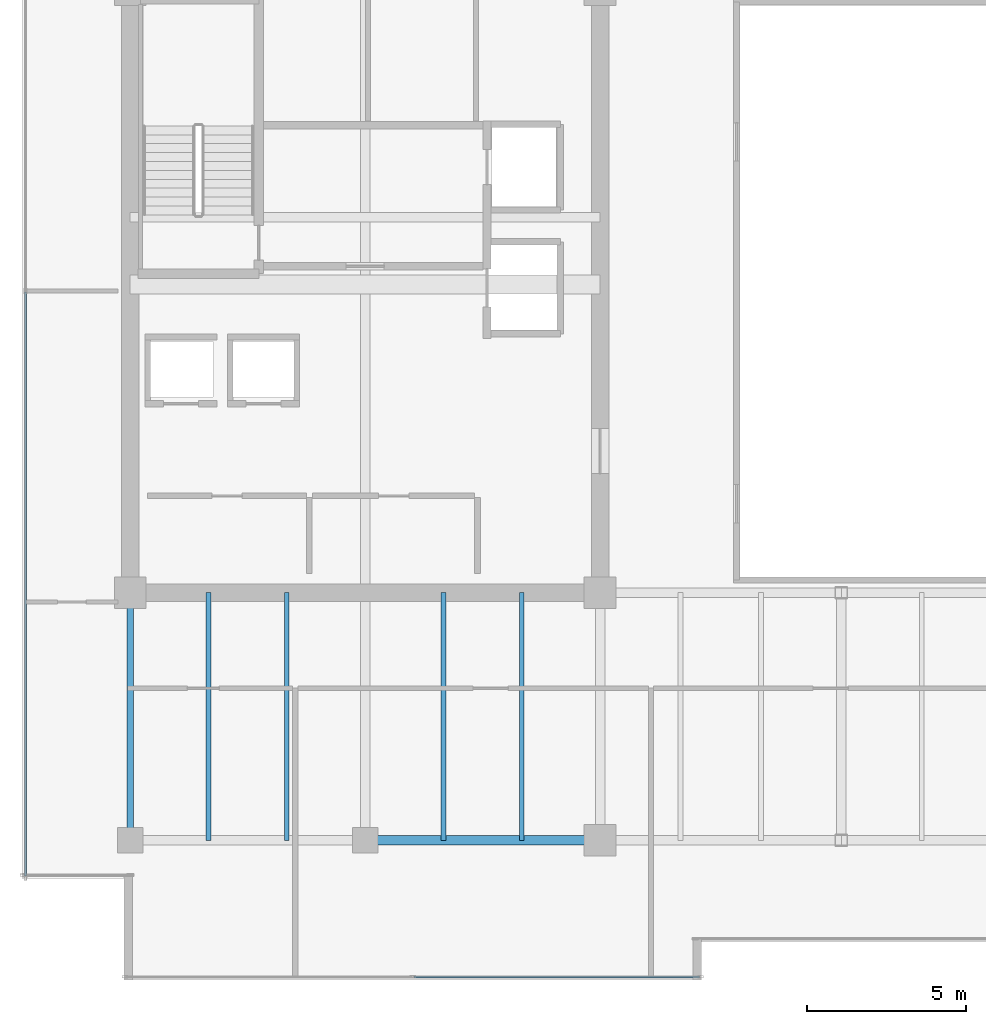
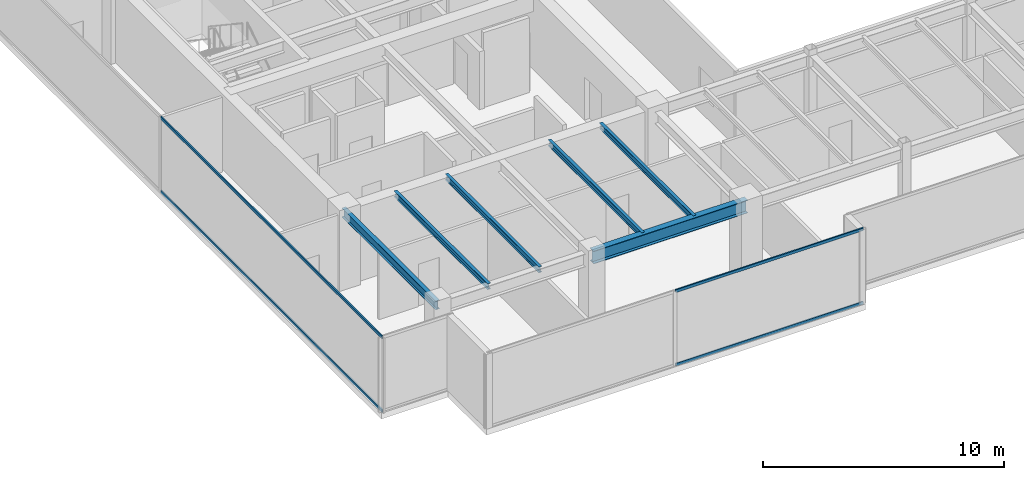
# One storey, part 6 of 33: 6 beams, 4 members, 2 elements without a shape of their own.
"""IFC4 building model written with IfcOpenShell, lengths in metres."""

from ifc_helpers import new_model, si_unit, direction, frame, origin, origin_2d, place, context, subcontext, project, spatial, hollow_rectangle, i_section, extrude, source, transform, mapped, material, layer, layer_set, material_profile, profile_set, type_object, type_shapes, element, aggregate, save


model = new_model("IFC4")

# Units and contexts
model_context = context("Model", 3, precision=1e-05, world=origin(), true_north=direction((0.0, 1.0)))
body_context = subcontext(model_context, "Body", "Model", "MODEL_VIEW")
ifc_project = project(units=[si_unit("LENGTHUNIT", "METRE"), si_unit("AREAUNIT", "SQUARE_METRE"), si_unit("VOLUMEUNIT", "CUBIC_METRE"), si_unit("PLANEANGLEUNIT", "RADIAN"), si_unit("MASSUNIT", "GRAM", prefix="KILO")], contexts=[model_context])

# Site, building, storey
site_placement = place(None, origin())
site = spatial("IfcSite", under=ifc_project, at=site_placement, CompositionType="ELEMENT")
building_placement = place(site_placement, origin())
building = spatial("IfcBuilding", under=site, at=building_placement, Name="Haelvirn Gate Laboratories", CompositionType="ELEMENT")
storey_placement = place(building_placement, frame((0.0, 0.0, 238.300048828125)))
storey = spatial("IfcBuildingStorey", under=building, at=storey_placement, Name="L57", CompositionType="ELEMENT", Elevation=238.300048828125)

# Beams
ifc_material_1 = material(Name="Steel SM355", Category="steel")
ifc_material_profile_1 = material_profile(ifc_material_1, i_section(OverallWidth=0.14990234375, OverallDepth=0.300048828125, WebThickness=0.006591796875, FlangeThickness=0.009033203125, at=origin_2d()), Name="H-300x150x6.5x9")
ifc_profile_set_1 = profile_set([ifc_material_profile_1], Name="Steel SM355")
beam_type_1 = type_object("IfcBeamType", Name="BM-J-300", PredefinedType="JOIST", material=ifc_profile_set_1)
shared_shape_1 = source(origin(), body_context, "Body", "SweptSolid", [
    extrude(i_section(OverallWidth=0.14990234375, OverallDepth=0.300048828125, WebThickness=0.006591796875, FlangeThickness=0.009033203125, at=origin_2d()), origin(), (0.0, 0.0, 1.0), 7.800048828125),
])
type_shapes(beam_type_1, [shared_shape_1])
for number, where, z_axis, x_axis, name in (
    (1, (9.8701171875, 7.0, 3.64990234375), (0.0, 1.0, 0.0), (-1.0, 0.0, 0.0), "L57 Composite Lab Joist South X9.87"),
    (2, (12.330078125, 7.0, 3.64990234375), (0.0, 1.0, 0.0), (-1.0, 0.0, 0.0), "L57 Composite Lab Joist South X12.33"),
    (3, (17.27001953125, 7.0, 3.64990234375), (0.0, 1.0, 0.0), (-1.0, 0.0, 0.0), "L57 Composite Lab Joist South X17.27"),
    (4, (19.72998046875, 7.0, 3.64990234375), (0.0, 1.0, 0.0), (-1.0, 0.0, 0.0), "L57 Composite Lab Joist South X19.73"),
):
    element("IfcBeam", number, at=place(storey_placement, frame(where, z_axis=z_axis, x_axis=x_axis)), inside=storey, type_object=beam_type_1, Name=name, PredefinedType="JOIST", context=body_context, shape_type="MappedRepresentation", body=[
        mapped(shared_shape_1, transform((0.0, 0.0, 0.0), scale=1.0)),
    ])
ifc_material_profile_2 = material_profile(ifc_material_1, i_section(OverallWidth=0.300048828125, OverallDepth=0.64990234375, WebThickness=0.012939453125, FlangeThickness=0.02197265625, at=origin_2d()), Name="H-650x300x13x22")
ifc_profile_set_2 = profile_set([ifc_material_profile_2], Name="Steel SM355")
beam_type_2 = type_object("IfcBeamType", Name="BM-G-650", PredefinedType="BEAM", material=ifc_profile_set_2)
shared_shape_2 = source(origin(), body_context, "Body", "SweptSolid", [
    extrude(i_section(OverallWidth=0.300048828125, OverallDepth=0.64990234375, WebThickness=0.012939453125, FlangeThickness=0.02197265625, at=origin_2d()), origin(), (0.0, 0.0, 1.0), 7.39990234375),
])
type_shapes(beam_type_2, [shared_shape_2])
beam_1_placement = place(storey_placement, frame((14.800048828125, 7.0, 3.474853515625), z_axis=(1.0, 0.0, 0.0), x_axis=(0.0, 1.0, 0.0)))
element("IfcBeam", 5, at=beam_1_placement, inside=storey, type_object=beam_type_2, Name="L57 Primary Girder Y7.0 (14.8-22.2)", PredefinedType="BEAM", context=body_context, shape_type="MappedRepresentation", body=[
    mapped(shared_shape_2, transform((0.0, 0.0, 0.0), scale=1.0)),
])
ifc_material_profile_3 = material_profile(ifc_material_1, i_section(OverallWidth=0.199951171875, OverallDepth=0.449951171875, WebThickness=0.009033203125, FlangeThickness=0.013916015625, at=origin_2d()), Name="H-450x200x9x14")
ifc_profile_set_3 = profile_set([ifc_material_profile_3], Name="Steel SM355")
beam_type_3 = type_object("IfcBeamType", Name="BM-SP-450", PredefinedType="SPANDREL", material=ifc_profile_set_3)
shared_shape_3 = source(origin(), body_context, "Body", "SweptSolid", [
    extrude(i_section(OverallWidth=0.199951171875, OverallDepth=0.449951171875, WebThickness=0.009033203125, FlangeThickness=0.013916015625, at=origin_2d()), origin(), (0.0, 0.0, 1.0), 7.800048828125),
])
type_shapes(beam_type_3, [shared_shape_3])
beam_2_placement = place(storey_placement, frame((7.39990234375, 7.0, 3.574951171875), z_axis=(0.0, 1.0, 0.0), x_axis=(-1.0, 0.0, 0.0)))
element("IfcBeam", 6, at=beam_2_placement, inside=storey, type_object=beam_type_3, Name="L57 Perimeter Spandrel X7.4 (7.0-14.8)", PredefinedType="SPANDREL", context=body_context, shape_type="MappedRepresentation", body=[
    mapped(shared_shape_3, transform((0.0, 0.0, 0.0), scale=1.0)),
])

# Curtain wall, members
ifc_material_2 = material(Name="Anodised bronze unitised aluminium & triple low-E glass", Category="aluminium")
ifc_layer = layer(ifc_material_2, 0.176025390625, Name="CW-SYS-4")
ifc_layer_set = layer_set([ifc_layer], Name="Anodised bronze unitised aluminium & triple low-E glass")
curtain_wall_type = type_object("IfcCurtainWallType", Name="CW-SYS-4", PredefinedType="NOTDEFINED", material=ifc_layer_set)
curtain_wall_1_placement = place(storey_placement, origin())
curtain_wall_1 = element("IfcCurtainWall", 7, at=curtain_wall_1_placement, inside=storey, type_object=curtain_wall_type, Name="L57 Unitised Curtain Wall CW-L57-P0-E00-1", PredefinedType="NOTDEFINED")
ifc_material_3 = material(Name="Extruded aluminium 6063-T6 (anodised bronze)", Category="aluminium")
ifc_material_profile_4 = material_profile(ifc_material_3, hollow_rectangle(XDim=0.06494140625, YDim=0.139892578125, WallThickness=0.00390625, at=origin_2d()), Name="CWT-140x65x4")
ifc_profile_set_4 = profile_set([ifc_material_profile_4], Name="Extruded aluminium 6063-T6 (anodised bronze)")
member_type = type_object("IfcMemberType", Name="CWT-T140", PredefinedType="USERDEFINED", material=ifc_profile_set_4)
shared_shape_4 = source(origin(), body_context, "Body", "SweptSolid", [
    extrude(hollow_rectangle(XDim=0.06494140625, YDim=0.139892578125, WallThickness=0.00390625, at=origin_2d()), origin(), (0.0, 0.0, 1.0), 8.9951171875),
])
member_1_placement = place(storey_placement, frame((16.3349609375, 2.699951171875, 0.032470703125), z_axis=(1.0, 0.0, 0.0), x_axis=(0.0, 1.0, 0.0)))
member_1 = element("IfcMember", 8, at=member_1_placement, type_object=member_type, Name="CW4 transom 2.1", ObjectType="TRANSOM", PredefinedType="USERDEFINED", context=body_context, shape_type="MappedRepresentation", body=[
    mapped(shared_shape_4, transform((0.0, 0.0, 0.0), scale=1.0)),
])
member_2_placement = place(storey_placement, frame((16.3349609375, 2.699951171875, 3.767333984375), z_axis=(1.0, 0.0, 0.0), x_axis=(0.0, 1.0, 0.0)))
member_2 = element("IfcMember", 9, at=member_2_placement, type_object=member_type, Name="CW4 transom 2.2", ObjectType="TRANSOM", PredefinedType="USERDEFINED", context=body_context, shape_type="MappedRepresentation", body=[
    mapped(shared_shape_4, transform((0.0, 0.0, 0.0), scale=1.0)),
])
aggregate(curtain_wall_1, [member_1, member_2])

curtain_wall_2_placement = place(storey_placement, origin())
curtain_wall_2 = element("IfcCurtainWall", 10, at=curtain_wall_2_placement, inside=storey, type_object=curtain_wall_type, Name="L57 Unitised Curtain Wall CW-L57-P0-E17", PredefinedType="NOTDEFINED")
shared_shape_5 = source(origin(), body_context, "Body", "SweptSolid", [
    extrude(hollow_rectangle(XDim=0.06494140625, YDim=0.139892578125, WallThickness=0.00390625, at=origin_2d()), origin(), (0.0, 0.0, 1.0), 18.394775390625),
])
type_shapes(member_type, [shared_shape_4, shared_shape_5])
member_3_placement = place(storey_placement, frame((4.10009765625, 24.264892578125, 0.032470703125), z_axis=(0.0, -1.0, 0.0), x_axis=(1.0, 0.0, 0.0)))
member_3 = element("IfcMember", 11, at=member_3_placement, type_object=member_type, Name="CW4 transom 2.1", ObjectType="TRANSOM", PredefinedType="USERDEFINED", context=body_context, shape_type="MappedRepresentation", body=[
    mapped(shared_shape_5, transform((0.0, 0.0, 0.0), scale=1.0)),
])
member_4_placement = place(storey_placement, frame((4.10009765625, 24.264892578125, 3.767333984375), z_axis=(0.0, -1.0, 0.0), x_axis=(1.0, 0.0, 0.0)))
member_4 = element("IfcMember", 12, at=member_4_placement, type_object=member_type, Name="CW4 transom 2.2", ObjectType="TRANSOM", PredefinedType="USERDEFINED", context=body_context, shape_type="MappedRepresentation", body=[
    mapped(shared_shape_5, transform((0.0, 0.0, 0.0), scale=1.0)),
])
aggregate(curtain_wall_2, [member_3, member_4])

save(model, "model.ifc")
